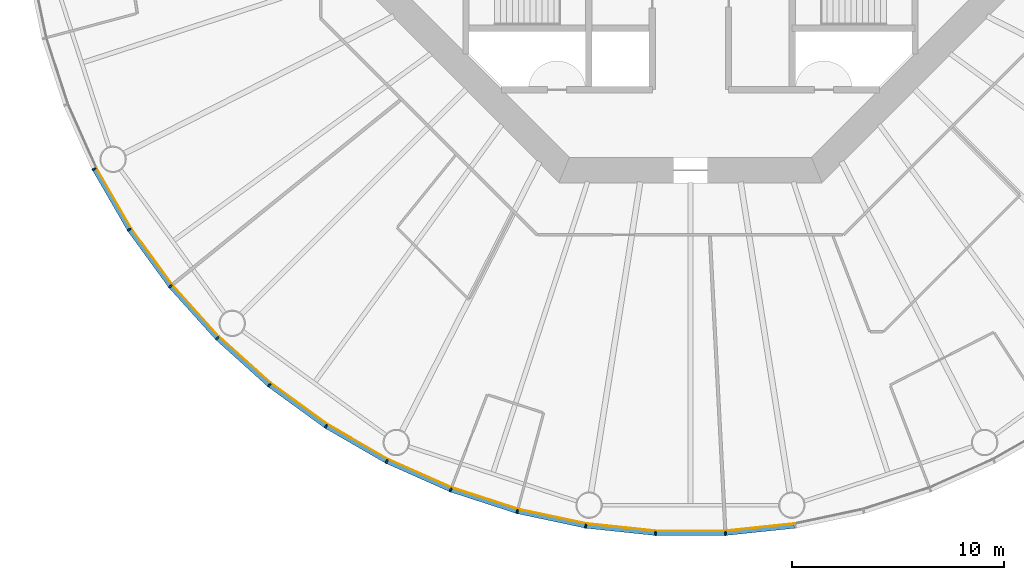
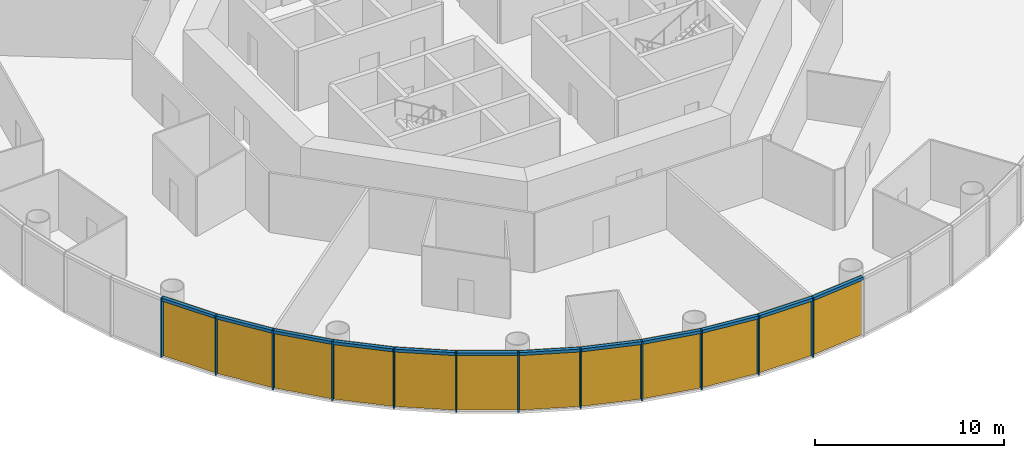
# One storey, part 7 of 13: 24 members, 4 curtain walls.
"""IFC4 building model written with IfcOpenShell, lengths in metres."""

from ifc_helpers import new_model, si_unit, direction, frame, origin, origin_2d, place, context, subcontext, project, spatial, polyline, rectangle, outline, extrude, material, layer, layer_set, material_profile, profile_set, type_object, element, aggregate, save


model = new_model("IFC4")

# Units and contexts
model_context = context("Model", 3, precision=1e-05, world=origin(), true_north=direction((0.0, 1.0)))
body_context = subcontext(model_context, "Body", "Model", "MODEL_VIEW")
ifc_project = project(units=[si_unit("LENGTHUNIT", "METRE"), si_unit("AREAUNIT", "SQUARE_METRE"), si_unit("VOLUMEUNIT", "CUBIC_METRE"), si_unit("PLANEANGLEUNIT", "RADIAN"), si_unit("MASSUNIT", "GRAM", prefix="KILO")], contexts=[model_context])

# Member
ifc_material_1 = material(Name="Anodised aluminium", Category="aluminium")
ifc_material_profile_1 = material_profile(ifc_material_1, rectangle(XDim=0.070068359375, YDim=0.199951171875, at=origin_2d()), Name="Mullion 70 x 200 mm anodised aluminium")
ifc_profile_set_1 = profile_set([ifc_material_profile_1], Name="Anodised aluminium")
member_type_1 = type_object("IfcMemberType", Name="Mullion 70 x 200 mm anodised aluminium", PredefinedType="MULLION", material=ifc_profile_set_1)
site_placement = place(None, origin())
building_placement = place(site_placement, origin())
storey_placement = place(building_placement, frame((0.0, 0.0, 100.0)))
member_1_placement = place(storey_placement, frame((61.84423828125, 65.65380859375, 0.0), z_axis=(0.0, 0.0, 1.0), x_axis=(0.45399049974, -0.891006524188, 0.0)))
member_1 = element("IfcMember", 1, at=member_1_placement, type_object=member_type_1, Name="MULLION L22-33", PredefinedType="MULLION", context=body_context, shape_type="SweptSolid", body=[
    extrude(rectangle(XDim=0.070068359375, YDim=0.199951171875, at=origin_2d()), origin(), (0.0, 0.0, 1.0), 3.85009765625),
])

member_2_placement = place(storey_placement, frame((63.498046875, 62.789306640625, 0.0), z_axis=(0.0, 0.0, 1.0), x_axis=(0.544639035015, -0.838670567945, 0.0)))
member_2 = element("IfcMember", 2, at=member_2_placement, type_object=member_type_1, Name="MULLION L22-34", PredefinedType="MULLION", context=body_context, shape_type="SweptSolid", body=[
    extrude(rectangle(XDim=0.070068359375, YDim=0.199951171875, at=origin_2d()), origin(), (0.0, 0.0, 1.0), 3.85009765625),
])

member_3_placement = place(storey_placement, frame((65.442138671875, 60.113525390625, 0.0), z_axis=(0.0, 0.0, 1.0), x_axis=(0.62932039105, -0.777145961457, 0.0)))
member_3 = element("IfcMember", 3, at=member_3_placement, type_object=member_type_1, Name="MULLION L22-35", PredefinedType="MULLION", context=body_context, shape_type="SweptSolid", body=[
    extrude(rectangle(XDim=0.070068359375, YDim=0.199951171875, at=origin_2d()), origin(), (0.0, 0.0, 1.0), 3.85009765625),
])

member_4_placement = place(storey_placement, frame((67.655517578125, 57.655517578125, 0.0), z_axis=(0.0, 0.0, 1.0), x_axis=(0.707106781187, -0.707106781187, 0.0)))
member_4 = element("IfcMember", 4, at=member_4_placement, type_object=member_type_1, Name="MULLION L22-36", PredefinedType="MULLION", context=body_context, shape_type="SweptSolid", body=[
    extrude(rectangle(XDim=0.070068359375, YDim=0.199951171875, at=origin_2d()), origin(), (0.0, 0.0, 1.0), 3.85009765625),
])

member_5_placement = place(storey_placement, frame((70.113525390625, 55.442138671875, 0.0), z_axis=(0.0, 0.0, 1.0), x_axis=(0.777145961457, -0.62932039105, 0.0)))
member_5 = element("IfcMember", 5, at=member_5_placement, type_object=member_type_1, Name="MULLION L22-37", PredefinedType="MULLION", context=body_context, shape_type="SweptSolid", body=[
    extrude(rectangle(XDim=0.070068359375, YDim=0.199951171875, at=origin_2d()), origin(), (0.0, 0.0, 1.0), 3.85009765625),
])

member_6_placement = place(storey_placement, frame((72.789306640625, 53.498046875, 0.0), z_axis=(0.0, 0.0, 1.0), x_axis=(0.838670567945, -0.544639035015, 0.0)))
member_6 = element("IfcMember", 6, at=member_6_placement, type_object=member_type_1, Name="MULLION L22-38", PredefinedType="MULLION", context=body_context, shape_type="SweptSolid", body=[
    extrude(rectangle(XDim=0.070068359375, YDim=0.199951171875, at=origin_2d()), origin(), (0.0, 0.0, 1.0), 3.85009765625),
])

member_7_placement = place(storey_placement, frame((75.65380859375, 51.84423828125, 0.0), z_axis=(0.0, 0.0, 1.0), x_axis=(0.891006524188, -0.45399049974, 0.0)))
member_7 = element("IfcMember", 7, at=member_7_placement, type_object=member_type_1, Name="MULLION L22-39", PredefinedType="MULLION", context=body_context, shape_type="SweptSolid", body=[
    extrude(rectangle(XDim=0.070068359375, YDim=0.199951171875, at=origin_2d()), origin(), (0.0, 0.0, 1.0), 3.85009765625),
])

member_8_placement = place(storey_placement, frame((78.675537109375, 50.498779296875, 0.0), z_axis=(0.0, 0.0, 1.0), x_axis=(0.933580426497, -0.358367949545, 0.0)))
member_8 = element("IfcMember", 8, at=member_8_placement, type_object=member_type_1, Name="MULLION L22-40", PredefinedType="MULLION", context=body_context, shape_type="SweptSolid", body=[
    extrude(rectangle(XDim=0.070068359375, YDim=0.199951171875, at=origin_2d()), origin(), (0.0, 0.0, 1.0), 3.85009765625),
])

member_9_placement = place(storey_placement, frame((81.8212890625, 49.476806640625, 0.0), z_axis=(0.0, 0.0, 1.0), x_axis=(0.965925826289, -0.258819045103, 0.0)))
member_9 = element("IfcMember", 9, at=member_9_placement, type_object=member_type_1, Name="MULLION L22-41", PredefinedType="MULLION", context=body_context, shape_type="SweptSolid", body=[
    extrude(rectangle(XDim=0.070068359375, YDim=0.199951171875, at=origin_2d()), origin(), (0.0, 0.0, 1.0), 3.85009765625),
])

member_10_placement = place(storey_placement, frame((85.056640625, 48.7890625, 0.0), z_axis=(0.0, 0.0, 1.0), x_axis=(0.987688340595, -0.15643446504, 0.0)))
member_10 = element("IfcMember", 10, at=member_10_placement, type_object=member_type_1, Name="MULLION L22-42", PredefinedType="MULLION", context=body_context, shape_type="SweptSolid", body=[
    extrude(rectangle(XDim=0.070068359375, YDim=0.199951171875, at=origin_2d()), origin(), (0.0, 0.0, 1.0), 3.85009765625),
])

member_11_placement = place(storey_placement, frame((88.34619140625, 48.443359375, 0.0), z_axis=(0.0, 0.0, 1.0), x_axis=(0.998629534755, -0.052335956243, 0.0)))
member_11 = element("IfcMember", 11, at=member_11_placement, type_object=member_type_1, Name="MULLION L22-43", PredefinedType="MULLION", context=body_context, shape_type="SweptSolid", body=[
    extrude(rectangle(XDim=0.070068359375, YDim=0.199951171875, at=origin_2d()), origin(), (0.0, 0.0, 1.0), 3.85009765625),
])

member_12_placement = place(storey_placement, frame((91.65380859375, 48.443359375, 0.0), z_axis=(0.0, 0.0, 1.0), x_axis=(0.998629534755, 0.052335956243, 0.0)))
member_12 = element("IfcMember", 12, at=member_12_placement, type_object=member_type_1, Name="MULLION L22-44", PredefinedType="MULLION", context=body_context, shape_type="SweptSolid", body=[
    extrude(rectangle(XDim=0.070068359375, YDim=0.199951171875, at=origin_2d()), origin(), (0.0, 0.0, 1.0), 3.85009765625),
])

ifc_material_2 = material(Name="Anodised aluminium", Category="aluminium")
ifc_material_profile_2 = material_profile(ifc_material_2, rectangle(XDim=0.199951171875, YDim=0.18994140625, at=origin_2d()), Name="Transom 190 x 200 mm anodised aluminium")
ifc_profile_set_2 = profile_set([ifc_material_profile_2], Name="Anodised aluminium")
member_type_2 = type_object("IfcMemberType", Name="Transom 190 x 200 mm anodised aluminium", PredefinedType="USERDEFINED", material=ifc_profile_set_2)
member_13_placement = place(storey_placement, frame((61.8642578125, 65.618896484375, 3.7548828125), z_axis=(0.500004055213, -0.866023062494, 0.0), x_axis=(0.866023062494, 0.500004055213, 0.0)))
member_13 = element("IfcMember", 13, at=member_13_placement, type_object=member_type_2, Name="TRANSOM L22-33", ObjectType="TRANSOM", PredefinedType="USERDEFINED", context=body_context, shape_type="SweptSolid", body=[
    extrude(rectangle(XDim=0.199951171875, YDim=0.18994140625, at=origin_2d()), origin(), (0.0, 0.0, 1.0), 3.22705078125),
])

member_14_placement = place(storey_placement, frame((63.521484375, 62.7568359375, 3.7548828125), z_axis=(0.587802790201, -0.809004252048, 0.0), x_axis=(0.809004252048, 0.587802790201, 0.0)))
member_14 = element("IfcMember", 14, at=member_14_placement, type_object=member_type_2, Name="TRANSOM L22-34", ObjectType="TRANSOM", PredefinedType="USERDEFINED", context=body_context, shape_type="SweptSolid", body=[
    extrude(rectangle(XDim=0.199951171875, YDim=0.18994140625, at=origin_2d()), origin(), (0.0, 0.0, 1.0), 3.227294921875),
])

member_15_placement = place(storey_placement, frame((65.468994140625, 60.08349609375, 3.7548828125), z_axis=(0.669144438484, -0.743132370743, 0.0), x_axis=(0.743132370743, 0.669144438484, 0.0)))
member_15 = element("IfcMember", 15, at=member_15_placement, type_object=member_type_2, Name="TRANSOM L22-35", ObjectType="TRANSOM", PredefinedType="USERDEFINED", context=body_context, shape_type="SweptSolid", body=[
    extrude(rectangle(XDim=0.199951171875, YDim=0.18994140625, at=origin_2d()), origin(), (0.0, 0.0, 1.0), 3.22705078125),
])

member_16_placement = place(storey_placement, frame((67.685302734375, 57.62841796875, 3.7548828125), z_axis=(0.743132370743, -0.669144438484, 0.0), x_axis=(0.669144438484, 0.743132370743, 0.0)))
member_16 = element("IfcMember", 16, at=member_16_placement, type_object=member_type_2, Name="TRANSOM L22-36", ObjectType="TRANSOM", PredefinedType="USERDEFINED", context=body_context, shape_type="SweptSolid", body=[
    extrude(rectangle(XDim=0.199951171875, YDim=0.18994140625, at=origin_2d()), origin(), (0.0, 0.0, 1.0), 3.22705078125),
])

member_17_placement = place(storey_placement, frame((70.14599609375, 55.41845703125, 3.7548828125), z_axis=(0.809004252048, -0.587802790201, 0.0), x_axis=(0.587802790201, 0.809004252048, 0.0)))
member_17 = element("IfcMember", 17, at=member_17_placement, type_object=member_type_2, Name="TRANSOM L22-37", ObjectType="TRANSOM", PredefinedType="USERDEFINED", context=body_context, shape_type="SweptSolid", body=[
    extrude(rectangle(XDim=0.199951171875, YDim=0.18994140625, at=origin_2d()), origin(), (0.0, 0.0, 1.0), 3.227294921875),
])

member_18_placement = place(storey_placement, frame((72.82421875, 53.477783203125, 3.7548828125), z_axis=(0.866023062494, -0.500004055213, 0.0), x_axis=(0.500004055213, 0.866023062494, 0.0)))
member_18 = element("IfcMember", 18, at=member_18_placement, type_object=member_type_2, Name="TRANSOM L22-38", ObjectType="TRANSOM", PredefinedType="USERDEFINED", context=body_context, shape_type="SweptSolid", body=[
    extrude(rectangle(XDim=0.199951171875, YDim=0.18994140625, at=origin_2d()), origin(), (0.0, 0.0, 1.0), 3.22705078125),
])

member_19_placement = place(storey_placement, frame((75.690673828125, 51.82763671875, 3.7548828125), z_axis=(0.913549291349, -0.406728032322, 0.0), x_axis=(0.406728032322, 0.913549291349, 0.0)))
member_19 = element("IfcMember", 19, at=member_19_placement, type_object=member_type_2, Name="TRANSOM L22-39", ObjectType="TRANSOM", PredefinedType="USERDEFINED", context=body_context, shape_type="SweptSolid", body=[
    extrude(rectangle(XDim=0.199951171875, YDim=0.18994140625, at=origin_2d()), origin(), (0.0, 0.0, 1.0), 3.22705078125),
])

member_20_placement = place(storey_placement, frame((78.7138671875, 50.486328125, 3.7548828125), z_axis=(0.951046855117, -0.309046726844, 0.0), x_axis=(0.309046726844, 0.951046855117, 0.0)))
member_20 = element("IfcMember", 20, at=member_20_placement, type_object=member_type_2, Name="TRANSOM L22-40", ObjectType="TRANSOM", PredefinedType="USERDEFINED", context=body_context, shape_type="SweptSolid", body=[
    extrude(rectangle(XDim=0.199951171875, YDim=0.18994140625, at=origin_2d()), origin(), (0.0, 0.0, 1.0), 3.22705078125),
])

member_21_placement = place(storey_placement, frame((81.860595703125, 49.46826171875, 3.7548828125), z_axis=(0.978153082647, -0.207885898771, 0.0), x_axis=(0.207885898771, 0.978153082647, 0.0)))
member_21 = element("IfcMember", 21, at=member_21_placement, type_object=member_type_2, Name="TRANSOM L22-41", ObjectType="TRANSOM", PredefinedType="USERDEFINED", context=body_context, shape_type="SweptSolid", body=[
    extrude(rectangle(XDim=0.199951171875, YDim=0.18994140625, at=origin_2d()), origin(), (0.0, 0.0, 1.0), 3.227294921875),
])

member_22_placement = place(storey_placement, frame((85.0966796875, 48.78466796875, 3.7548828125), z_axis=(0.994519537956, -0.104550890115, 0.0), x_axis=(0.104550890115, 0.994519537956, 0.0)))
member_22 = element("IfcMember", 22, at=member_22_placement, type_object=member_type_2, Name="TRANSOM L22-42", ObjectType="TRANSOM", PredefinedType="USERDEFINED", context=body_context, shape_type="SweptSolid", body=[
    extrude(rectangle(XDim=0.199951171875, YDim=0.18994140625, at=origin_2d()), origin(), (0.0, 0.0, 1.0), 3.22705078125),
])

member_23_placement = place(storey_placement, frame((88.386474609375, 48.443115234375, 3.7548828125), z_axis=(1.0, 0.0, 0.0), x_axis=(0.0, 1.0, 0.0)))
member_23 = element("IfcMember", 23, at=member_23_placement, type_object=member_type_2, Name="TRANSOM L22-43", ObjectType="TRANSOM", PredefinedType="USERDEFINED", context=body_context, shape_type="SweptSolid", body=[
    extrude(rectangle(XDim=0.199951171875, YDim=0.18994140625, at=origin_2d()), origin(), (0.0, 0.0, 1.0), 3.22705078125),
])

member_24_placement = place(storey_placement, frame((91.69384765625, 48.447265625, 3.7548828125), z_axis=(0.994519537956, 0.104550890115, 0.0), x_axis=(-0.104550890115, 0.994519537956, 0.0)))
member_24 = element("IfcMember", 24, at=member_24_placement, type_object=member_type_2, Name="TRANSOM L22-44", ObjectType="TRANSOM", PredefinedType="USERDEFINED", context=body_context, shape_type="SweptSolid", body=[
    extrude(rectangle(XDim=0.199951171875, YDim=0.18994140625, at=origin_2d()), origin(), (0.0, 0.0, 1.0), 3.22705078125),
])

# Site, building, storey
site = spatial("IfcSite", under=ifc_project, at=site_placement, CompositionType="ELEMENT")
building = spatial("IfcBuilding", under=site, at=building_placement, Name="Entoto Ring Tower", CompositionType="ELEMENT")
storey = spatial("IfcBuildingStorey", under=building, at=storey_placement, Name="L22", CompositionType="ELEMENT", Elevation=100.0)

# Curtain wall
ifc_material_3 = material(Name="Clear low-iron glass", Category="glass")
ifc_layer = layer(ifc_material_3, 0.035888671875)
ifc_layer_set = layer_set([ifc_layer], Name="Clear low-iron glass")
curtain_wall_type = type_object("IfcCurtainWallType", Name="Curtain wall system CW2 glazing 36 mm", PredefinedType="NOTDEFINED", material=ifc_layer_set)
curtain_wall_1_placement = place(storey_placement, origin())
curtain_wall_1 = element("IfcCurtainWall", 25, at=curtain_wall_1_placement, inside=storey, type_object=curtain_wall_type, Name="CW2 L22-12", PredefinedType="NOTDEFINED", context=body_context, shape_type="SweptSolid", body=[
    extrude(outline(polyline([(61.933349609375, 65.69921875), (63.581787109375, 62.84375), (65.52001953125, 60.176513671875), (67.72607421875, 57.72607421875), (67.751708984375, 57.751708984375), (65.5478515625, 60.198974609375), (63.612060546875, 62.863525390625), (61.96533203125, 65.715576171875), (61.933349609375, 65.69921875)])), origin(), (0.0, 0.0, 1.0), 3.85009765625),
])

aggregate(curtain_wall_1, [member_1, member_2, member_3, member_13, member_14, member_15])

curtain_wall_2_placement = place(storey_placement, origin())
curtain_wall_2 = element("IfcCurtainWall", 26, at=curtain_wall_2_placement, inside=storey, type_object=curtain_wall_type, Name="CW2 L22-13", PredefinedType="NOTDEFINED", context=body_context, shape_type="SweptSolid", body=[
    extrude(outline(polyline([(67.72607421875, 57.72607421875), (70.176513671875, 55.52001953125), (72.84375, 53.581787109375), (75.69921875, 51.933349609375), (75.715576171875, 51.96533203125), (72.863525390625, 53.612060546875), (70.198974609375, 55.5478515625), (67.751708984375, 57.751708984375), (67.72607421875, 57.72607421875)])), origin(), (0.0, 0.0, 1.0), 3.85009765625),
])

aggregate(curtain_wall_2, [member_4, member_5, member_6, member_16, member_17, member_18])

curtain_wall_3_placement = place(storey_placement, origin())
curtain_wall_3 = element("IfcCurtainWall", 27, at=curtain_wall_3_placement, inside=storey, type_object=curtain_wall_type, Name="CW2 L22-14", PredefinedType="NOTDEFINED", context=body_context, shape_type="SweptSolid", body=[
    extrude(outline(polyline([(75.69921875, 51.933349609375), (78.71142578125, 50.59228515625), (81.84716796875, 49.5732421875), (85.072265625, 48.8876953125), (85.077880859375, 48.92333984375), (81.8564453125, 49.608154296875), (78.724365234375, 50.6259765625), (75.715576171875, 51.96533203125), (75.69921875, 51.933349609375)])), origin(), (0.0, 0.0, 1.0), 3.85009765625),
])

aggregate(curtain_wall_3, [member_7, member_8, member_9, member_19, member_20, member_21])

curtain_wall_4_placement = place(storey_placement, origin())
curtain_wall_4 = element("IfcCurtainWall", 28, at=curtain_wall_4_placement, inside=storey, type_object=curtain_wall_type, Name="CW2 L22-15", PredefinedType="NOTDEFINED", context=body_context, shape_type="SweptSolid", body=[
    extrude(outline(polyline([(85.072265625, 48.8876953125), (88.351318359375, 48.543212890625), (91.648681640625, 48.543212890625), (94.927734375, 48.8876953125), (94.922119140625, 48.92333984375), (91.646728515625, 48.5791015625), (88.353271484375, 48.5791015625), (85.077880859375, 48.92333984375), (85.072265625, 48.8876953125)])), origin(), (0.0, 0.0, 1.0), 3.85009765625),
])

aggregate(curtain_wall_4, [member_10, member_11, member_12, member_22, member_23, member_24])

save(model, "model.ifc")
